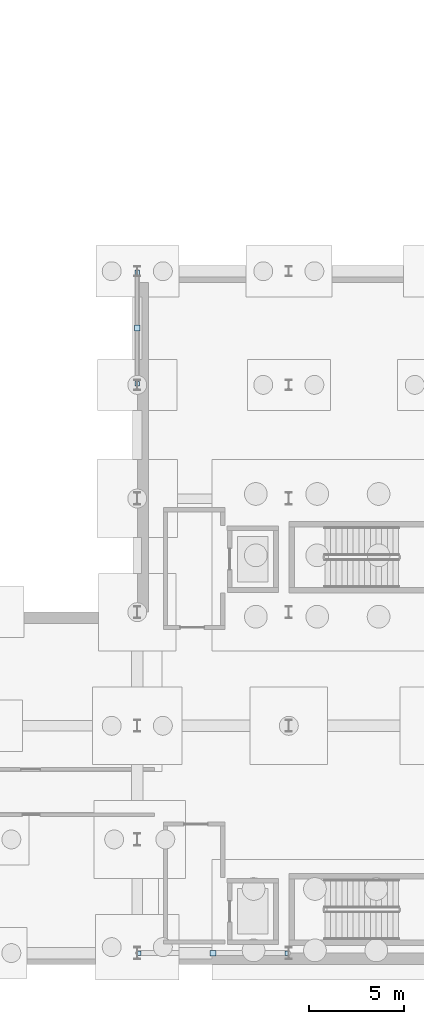
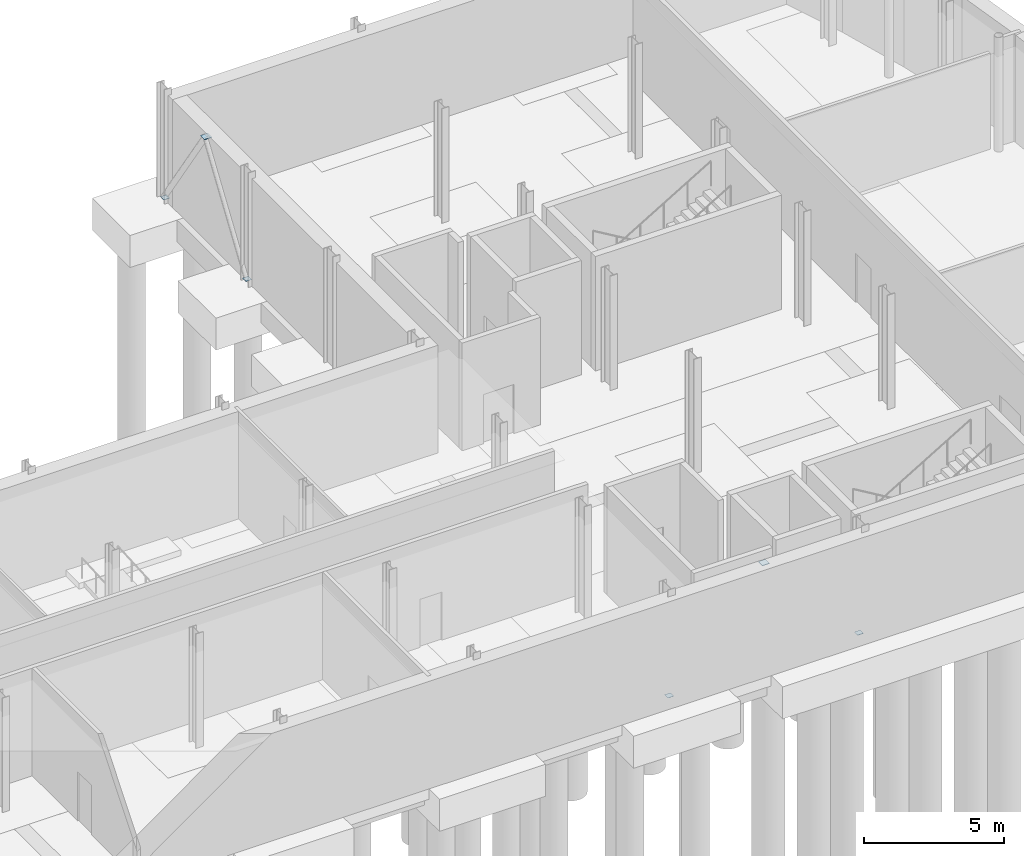
# One storey, part 22 of 47: 6 plates.
"""IFC4 building model written with IfcOpenShell, lengths in metres."""

import ifcopenshell
import ifcopenshell.guid

model = None  # the IFC model being written
_history = None  # IfcOwnerHistory: only IFC2X3 demands one
_inside = {}  # id of a spatial element -> (the spatial element, [elements in it])
_under = {}  # id of a project, library or spatial element -> (it, [spatial elements below it])
_declared = {}  # id of a project -> (the project, [libraries it declares])
_typed = {}  # id of a type object -> (the type object, [elements of that type])
_made_of = {}  # id of a material, layer set ... -> (it, [elements and type objects made of it])


def new_model(schema):
    """Start an empty IFC model of exactly this schema.

    Asked for "IFC4X3", IfcOpenShell would pick the latest addendum, in which some entities
    have other attributes; the version numbers below select the first issue.
    IFC2X3 requires an IfcOwnerHistory on every rooted entity: one is made here for all.
    """
    global model, _history
    if schema == "IFC4X3":
        model = ifcopenshell.file(schema_version=(4, 3, 0, 0))
    else:
        model = ifcopenshell.file(schema=schema)
    _inside.clear()
    _under.clear()
    _declared.clear()
    _typed.clear()
    _made_of.clear()
    _history = None
    if model.schema == "IFC2X3":
        org = make("IfcOrganization", Name="unknown")
        user = make(
            "IfcPersonAndOrganization",
            ThePerson=make("IfcPerson", FamilyName="unknown"),
            TheOrganization=org,
        )
        app = make(
            "IfcApplication",
            ApplicationDeveloper=org,
            Version="unknown",
            ApplicationFullName="unknown",
            ApplicationIdentifier="unknown",
        )
        _history = make(
            "IfcOwnerHistory",
            OwningUser=user,
            OwningApplication=app,
            ChangeAction="ADDED",
            CreationDate=0,
        )
    return model


def make(cls, **values):
    """One entity of the class cls with the attributes given. An attribute that is None is left unset."""
    return model.create_entity(
        cls, **{name: value for name, value in values.items() if value is not None}
    )


def rooted(cls, **values):
    """An entity with a GlobalId (a new one), such as an element, a storey or a relation."""
    return make(cls, GlobalId=ifcopenshell.guid.new(), OwnerHistory=_history, **values)


def si_unit(unit_type, name, prefix=None):
    """IfcSIUnit, for example si_unit("LENGTHUNIT", "METRE", prefix="MILLI")."""
    return make("IfcSIUnit", UnitType=unit_type, Prefix=prefix, Name=name)


def assignment(units):
    """IfcUnitAssignment: the units of a project."""
    return None if units is None else make("IfcUnitAssignment", Units=units)


def point(xyz):
    """IfcCartesianPoint."""
    return None if xyz is None else make("IfcCartesianPoint", Coordinates=xyz)


def direction(xyz):
    """IfcDirection."""
    return None if xyz is None else make("IfcDirection", DirectionRatios=xyz)


def frame(location, z_axis=None, x_axis=None):
    """IfcAxis2Placement3D, a coordinate frame: its origin and axes. An axis left out is left unset."""
    return make(
        "IfcAxis2Placement3D",
        Location=point(location),
        Axis=direction(z_axis),
        RefDirection=direction(x_axis),
    )


def frame_2d(location, x_axis=None):
    """IfcAxis2Placement2D, a coordinate frame in the plane: its origin and x axis."""
    return make(
        "IfcAxis2Placement2D", Location=point(location), RefDirection=direction(x_axis)
    )


def origin():
    """The frame at (0, 0, 0) with its axes left unset."""
    return frame((0.0, 0.0, 0.0))


def origin_2d():
    """The frame at (0, 0) in the plane with its x axis left unset."""
    return frame_2d((0.0, 0.0))


def place(relative_to, where):
    """IfcLocalPlacement: puts the frame where relative to a parent placement (None: the world)."""
    return make(
        "IfcLocalPlacement", PlacementRelTo=relative_to, RelativePlacement=where
    )


def context(
    kind, dimensions, precision=None, world=None, true_north=None, identifier=None
):
    """IfcGeometricRepresentationContext, for example the 3D "Model" context."""
    return make(
        "IfcGeometricRepresentationContext",
        ContextIdentifier=identifier,
        ContextType=kind,
        CoordinateSpaceDimension=dimensions,
        Precision=precision,
        WorldCoordinateSystem=world,
        TrueNorth=true_north,
    )


def subcontext(parent, identifier, kind, view, scale=None):
    """IfcGeometricRepresentationSubContext, for example "Body" below "Model"."""
    return make(
        "IfcGeometricRepresentationSubContext",
        ContextIdentifier=identifier,
        ContextType=kind,
        ParentContext=parent,
        TargetScale=scale,
        TargetView=view,
    )


def project(units=None, contexts=None):
    """IfcProject with its units and contexts."""
    return rooted(
        "IfcProject",
        Name="project",
        RepresentationContexts=contexts,
        UnitsInContext=assignment(units),
    )


def spatial(cls, under=None, at=None, **own):
    """A site, building, storey or space (cls), placed at a placement, below another one or the project."""
    s = rooted(cls, ObjectPlacement=at, **own)
    if under is not None:
        _under.setdefault(under.id(), (under, []))[1].append(s)
    return s


def profile(cls, at=None, kind="AREA", **sizes):
    """A parametric profile (cls). Its sizes go by their IFC names, for example OverallWidth=200.0."""
    return make(cls, ProfileType=kind, Position=at, **sizes)


def rectangle(**sizes):
    """IfcRectangleProfileDef."""
    return profile("IfcRectangleProfileDef", **sizes)


def extrude(swept, where, along, depth):
    """IfcExtrudedAreaSolid: the profile swept, set in the frame where, extruded along a direction by depth."""
    return make(
        "IfcExtrudedAreaSolid",
        SweptArea=swept,
        Position=where,
        ExtrudedDirection=direction(along),
        Depth=depth,
    )


def shape(context_of_items, identifier, shape_type, items):
    """IfcShapeRepresentation: the items that make up one representation, for example the "Body"."""
    return make(
        "IfcShapeRepresentation",
        ContextOfItems=context_of_items,
        RepresentationIdentifier=identifier,
        RepresentationType=shape_type,
        Items=items,
    )


def material(Name=None, Category=None):
    """IfcMaterial."""
    return make("IfcMaterial", Name=Name, Category=Category)


def layer(
    of_material, thickness, ventilated=None, Name=None, Category=None, Priority=None
):
    """IfcMaterialLayer: one layer of a wall or slab, of a material (None: an air gap)."""
    return make(
        "IfcMaterialLayer",
        Material=of_material,
        LayerThickness=thickness,
        IsVentilated=ventilated,
        Name=Name,
        Category=Category,
        Priority=Priority,
    )


def layer_set(layers, Name=None):
    """IfcMaterialLayerSet."""
    return make("IfcMaterialLayerSet", MaterialLayers=layers, LayerSetName=Name)


def made_of(thing, what):
    """Note that an element or type object is made of a material, layer set ...; save() writes the relation."""
    if what is not None:
        _made_of.setdefault(what.id(), (what, []))[1].append(thing)
    return thing


def type_object(cls, material=None, **own):
    """A type object (cls), such as IfcWallType, which elements share."""
    return made_of(rooted(cls, **own), material)


def element(
    cls,
    number,
    at=None,
    inside=None,
    cuts=None,
    type_object=None,
    material=None,
    context=None,
    identifier="Body",
    shape_type=None,
    held_by="IfcProductDefinitionShape",
    body=None,
    shapes=None,
    **own,
):
    """One element of the class cls, such as IfcWall. Its Tag is "e" and its number.

    at: its placement. inside: the storey or other place that contains it. cuts: it is an
    opening in that element (IfcRelVoidsElement). A single representation is given by context,
    identifier, shape_type and body (its items); several are given by shapes. held_by: the class
    of the entity that holds the representations. save() writes the other relations.
    """
    e = rooted(cls, Tag="e%d" % number, ObjectPlacement=at, **own)
    if body is not None:
        shapes = [shape(context, identifier, shape_type, body)]
    if shapes is not None:
        e.Representation = make(held_by, Representations=shapes)
    if inside is not None:
        _inside.setdefault(inside.id(), (inside, []))[1].append(e)
    if cuts is not None:
        rooted(
            "IfcRelVoidsElement", RelatingBuildingElement=cuts, RelatedOpeningElement=e
        )
    if type_object is not None:
        _typed.setdefault(type_object.id(), (type_object, []))[1].append(e)
    return made_of(e, material)


def aggregate(whole, parts):
    """IfcRelAggregates: a whole, such as a stair, and the parts it consists of."""
    return rooted("IfcRelAggregates", RelatingObject=whole, RelatedObjects=parts)


def save(model, path):
    """Write the relations noted so far, then the file.

    IfcRelAggregates (storeys below a building ...), IfcRelContainedInSpatialStructure (elements
    in a storey), IfcRelDefinesByType, IfcRelAssociatesMaterial and IfcRelDeclares: one each for
    every whole, place, type object, material and project.
    """
    for whole, parts in _under.values():
        aggregate(whole, parts)
    for where, things in _inside.values():
        rooted(
            "IfcRelContainedInSpatialStructure",
            RelatedElements=things,
            RelatingStructure=where,
        )
    for kind, things in _typed.values():
        rooted("IfcRelDefinesByType", RelatedObjects=things, RelatingType=kind)
    for what, things in _made_of.values():
        rooted("IfcRelAssociatesMaterial", RelatedObjects=things, RelatingMaterial=what)
    for by, libraries in _declared.values():
        rooted("IfcRelDeclares", RelatingContext=by, RelatedDefinitions=libraries)
    model.write(path)


model = new_model("IFC4")

# Units and contexts
model_context = context("Model", 3, precision=1e-05, world=origin(), true_north=direction((0.0, 1.0)))
body_context = subcontext(model_context, "Body", "Model", "MODEL_VIEW")
ifc_project = project(units=[si_unit("LENGTHUNIT", "METRE"), si_unit("AREAUNIT", "SQUARE_METRE"), si_unit("VOLUMEUNIT", "CUBIC_METRE"), si_unit("PLANEANGLEUNIT", "RADIAN"), si_unit("MASSUNIT", "GRAM", prefix="KILO")], contexts=[model_context])

# Site, building, storey
site_placement = place(None, origin())
site = spatial("IfcSite", under=ifc_project, at=site_placement, CompositionType="ELEMENT")
building_placement = place(site_placement, origin())
building = spatial("IfcBuilding", under=site, at=building_placement, Name="Cymarion Research Institute", CompositionType="ELEMENT")
storey_placement = place(building_placement, frame((0.0, 0.0, -5.0)))
storey = spatial("IfcBuildingStorey", under=building, at=storey_placement, Name="B1", CompositionType="ELEMENT", Elevation=-5.0)

# Plates
ifc_material = material(Name="Steel S355", Category="steel")
ifc_layer_1 = layer(ifc_material, 0.01806640625)
ifc_layer_set_1 = layer_set([ifc_layer_1], Name="Steel S355")
plate_type_1 = type_object("IfcPlateType", Name="STEEL NODE GUSSET PLATE CP01 18MM", PredefinedType="USERDEFINED", material=ifc_layer_set_1)
for number, where, z_axis, x_axis, name in (
    (1, (142.60009765625, 5.5, 4.551025390625), (0.0, 0.0, 1.0), (1.0, 0.0, 0.0), "B1 V1 chevron apex gusset plate"),
    (2, (138.60009765625, 38.5, 4.551025390625), (0.0, 0.0, 1.0), (1.0, 0.0, 0.0), "B1 V1 chevron apex gusset plate"),
):
    element("IfcPlate", number, at=place(storey_placement, frame(where, z_axis=z_axis, x_axis=x_axis)), inside=storey, type_object=plate_type_1, Name=name, ObjectType="GUSSET PLATE", PredefinedType="USERDEFINED", context=body_context, shape_type="SweptSolid", body=[
        extrude(rectangle(XDim=0.300048828125, YDim=0.300048828125, at=origin_2d()), origin(), (0.0, 0.0, 1.0), 0.01806640625),
    ])
ifc_layer_2 = layer(ifc_material, 0.011962890625)
ifc_layer_set_2 = layer_set([ifc_layer_2], Name="Steel S355")
plate_type_2 = type_object("IfcPlateType", Name="STEEL NODE GUSSET PLATE CP02 12MM", PredefinedType="USERDEFINED", material=ifc_layer_set_2)
for number, where, z_axis, x_axis, name in (
    (3, (138.680419921875, 5.5, 0.1142578125), (0.0, 0.0, 1.0), (1.0, 0.0, 0.0), "B1 V1 chevron base gusset plate #1"),
    (4, (146.519775390625, 5.5, 0.1142578125), (0.0, 0.0, 1.0), (1.0, 0.0, 0.0), "B1 V1 chevron base gusset plate #2"),
    (5, (138.60009765625, 35.567138671875, 0.1142578125), (0.0, 0.0, 1.0), (1.0, 0.0, 0.0), "B1 V1 chevron base gusset plate #1"),
    (6, (138.60009765625, 41.432861328125, 0.1142578125), (0.0, 0.0, 1.0), (1.0, 0.0, 0.0), "B1 V1 chevron base gusset plate #2"),
):
    element("IfcPlate", number, at=place(storey_placement, frame(where, z_axis=z_axis, x_axis=x_axis)), inside=storey, type_object=plate_type_2, Name=name, ObjectType="GUSSET PLATE", PredefinedType="USERDEFINED", context=body_context, shape_type="SweptSolid", body=[
        extrude(rectangle(XDim=0.239990234375, YDim=0.239990234375, at=origin_2d()), origin(), (0.0, 0.0, 1.0), 0.011962890625),
    ])

save(model, "model.ifc")
